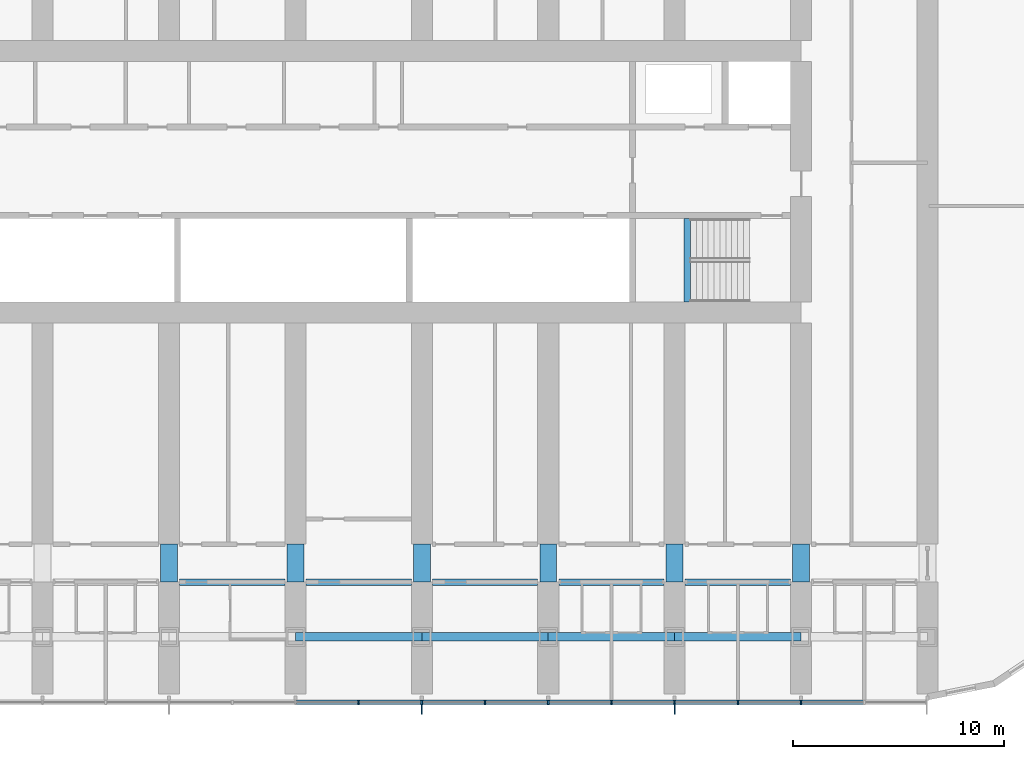
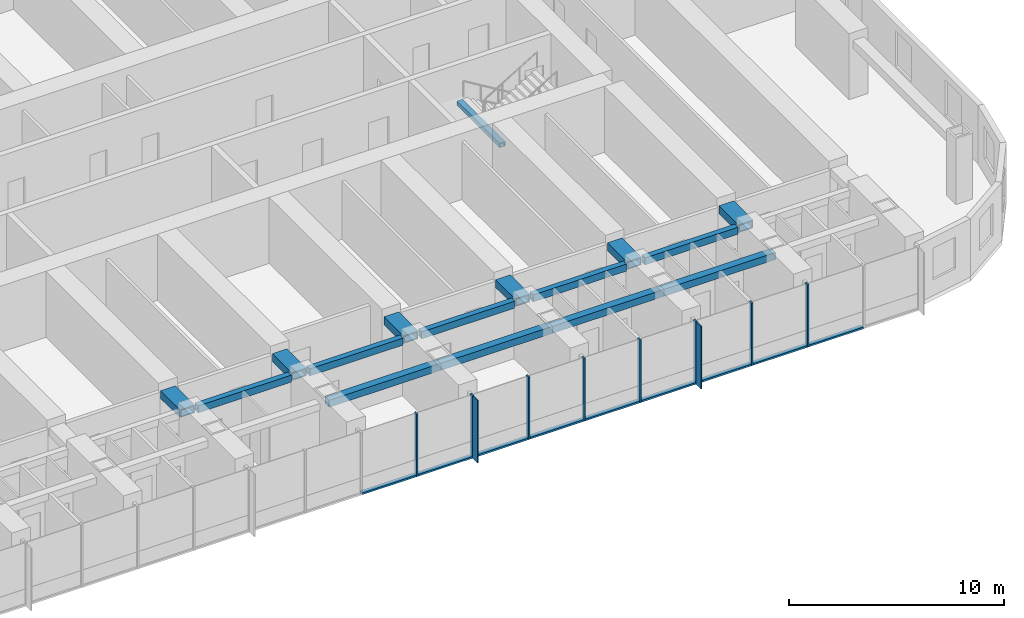
# One storey, part 3 of 24: 19 members, 16 beams, 1 element without a shape of its own.
"""IFC4 building model written with IfcOpenShell, lengths in metres."""

from ifc_helpers import new_model, si_unit, direction, frame, origin, origin_2d, place, context, subcontext, project, spatial, rectangle, hollow_rectangle, extrude, material, material_profile, profile_set, type_object, element, aggregate, save


model = new_model("IFC4")

# Units and contexts
model_context = context("Model", 3, precision=1e-05, world=origin(), true_north=direction((0.0, 1.0)))
body_context = subcontext(model_context, "Body", "Model", "MODEL_VIEW")
ifc_project = project(units=[si_unit("LENGTHUNIT", "METRE"), si_unit("AREAUNIT", "SQUARE_METRE"), si_unit("VOLUMEUNIT", "CUBIC_METRE"), si_unit("PLANEANGLEUNIT", "RADIAN"), si_unit("MASSUNIT", "GRAM", prefix="KILO")], contexts=[model_context])

# Site, building, storey
site_placement = place(None, origin())
site = spatial("IfcSite", under=ifc_project, at=site_placement, CompositionType="ELEMENT")
building_placement = place(site_placement, origin())
building = spatial("IfcBuilding", under=site, at=building_placement, Name="Orbita Commons", CompositionType="ELEMENT")
storey_placement = place(building_placement, frame((0.0, 0.0, 35.199951171875)))
storey = spatial("IfcBuildingStorey", under=building, at=storey_placement, Name="L08", CompositionType="ELEMENT", Elevation=35.199951171875)

# Curtain wall, members
ifc_material_1 = material(Name="Anodised aluminium frame, pale silver", Category="aluminium")
curtain_wall_type = type_object("IfcCurtainWallType", Name="Unitised curtain wall CW-T, vision and spandrel", PredefinedType="NOTDEFINED", material=ifc_material_1)
curtain_wall_placement = place(storey_placement, origin())
curtain_wall = element("IfcCurtainWall", 1, at=curtain_wall_placement, inside=storey, type_object=curtain_wall_type, Name="Curtain wall south L08", PredefinedType="NOTDEFINED")
ifc_material_2 = material(Name="Anodised aluminium, pale silver", Category="aluminium")
ifc_material_profile_1 = material_profile(ifc_material_2, rectangle(XDim=0.080078125, YDim=0.219970703125, at=origin_2d()), Name="AL 80x220")
ifc_profile_set_1 = profile_set([ifc_material_profile_1], Name="Anodised aluminium, pale silver")
member_type_1 = type_object("IfcMemberType", Name="Curtain wall mullion 80x220", PredefinedType="MULLION", material=ifc_profile_set_1)
member_1_placement = place(storey_placement, frame((45.0, 7.2900390625, -0.25), z_axis=(0.0, 0.0, 1.0), x_axis=(1.0, 0.0, 0.0)))
member_1 = element("IfcMember", 2, at=member_1_placement, type_object=member_type_1, Name="Mullion 12 CW-L08-S", PredefinedType="MULLION", context=body_context, shape_type="SweptSolid", body=[
    extrude(rectangle(XDim=0.080078125, YDim=0.219970703125, at=origin_2d()), origin(), (0.0, 0.0, 1.0), 3.550048828125),
])
member_2_placement = place(storey_placement, frame((48.0, 7.2900390625, -0.25), z_axis=(0.0, 0.0, 1.0), x_axis=(1.0, 0.0, 0.0)))
member_2 = element("IfcMember", 3, at=member_2_placement, type_object=member_type_1, Name="Mullion 13 CW-L08-S", PredefinedType="MULLION", context=body_context, shape_type="SweptSolid", body=[
    extrude(rectangle(XDim=0.080078125, YDim=0.219970703125, at=origin_2d()), origin(), (0.0, 0.0, 1.0), 3.550048828125),
])
member_3_placement = place(storey_placement, frame((51.0, 7.2900390625, -0.25), z_axis=(0.0, 0.0, 1.0), x_axis=(1.0, 0.0, 0.0)))
member_3 = element("IfcMember", 4, at=member_3_placement, type_object=member_type_1, Name="Mullion 14 CW-L08-S", PredefinedType="MULLION", context=body_context, shape_type="SweptSolid", body=[
    extrude(rectangle(XDim=0.080078125, YDim=0.219970703125, at=origin_2d()), origin(), (0.0, 0.0, 1.0), 3.550048828125),
])
member_4_placement = place(storey_placement, frame((54.0, 7.2900390625, -0.25), z_axis=(0.0, 0.0, 1.0), x_axis=(1.0, 0.0, 0.0)))
member_4 = element("IfcMember", 5, at=member_4_placement, type_object=member_type_1, Name="Mullion 15 CW-L08-S", PredefinedType="MULLION", context=body_context, shape_type="SweptSolid", body=[
    extrude(rectangle(XDim=0.080078125, YDim=0.219970703125, at=origin_2d()), origin(), (0.0, 0.0, 1.0), 3.550048828125),
])
member_5_placement = place(storey_placement, frame((57.0, 7.2900390625, -0.25), z_axis=(0.0, 0.0, 1.0), x_axis=(1.0, 0.0, 0.0)))
member_5 = element("IfcMember", 6, at=member_5_placement, type_object=member_type_1, Name="Mullion 16 CW-L08-S", PredefinedType="MULLION", context=body_context, shape_type="SweptSolid", body=[
    extrude(rectangle(XDim=0.080078125, YDim=0.219970703125, at=origin_2d()), origin(), (0.0, 0.0, 1.0), 3.550048828125),
])
member_6_placement = place(storey_placement, frame((60.0, 7.2900390625, -0.25), z_axis=(0.0, 0.0, 1.0), x_axis=(1.0, 0.0, 0.0)))
member_6 = element("IfcMember", 7, at=member_6_placement, type_object=member_type_1, Name="Mullion 17 CW-L08-S", PredefinedType="MULLION", context=body_context, shape_type="SweptSolid", body=[
    extrude(rectangle(XDim=0.080078125, YDim=0.219970703125, at=origin_2d()), origin(), (0.0, 0.0, 1.0), 3.550048828125),
])
member_7_placement = place(storey_placement, frame((63.0, 7.2900390625, -0.25), z_axis=(0.0, 0.0, 1.0), x_axis=(1.0, 0.0, 0.0)))
member_7 = element("IfcMember", 8, at=member_7_placement, type_object=member_type_1, Name="Mullion 18 CW-L08-S", PredefinedType="MULLION", context=body_context, shape_type="SweptSolid", body=[
    extrude(rectangle(XDim=0.080078125, YDim=0.219970703125, at=origin_2d()), origin(), (0.0, 0.0, 1.0), 3.550048828125),
])
member_8_placement = place(storey_placement, frame((66.0, 7.2900390625, -0.25), z_axis=(0.0, 0.0, 1.0), x_axis=(1.0, 0.0, 0.0)))
member_8 = element("IfcMember", 9, at=member_8_placement, type_object=member_type_1, Name="Mullion 19 CW-L08-S", PredefinedType="MULLION", context=body_context, shape_type="SweptSolid", body=[
    extrude(rectangle(XDim=0.080078125, YDim=0.219970703125, at=origin_2d()), origin(), (0.0, 0.0, 1.0), 3.550048828125),
])
ifc_material_3 = material(Name="Anodised aluminium, pale silver", Category="aluminium")
ifc_material_profile_2 = material_profile(ifc_material_3, rectangle(XDim=0.219970703125, YDim=0.10009765625, at=origin_2d()), Name="AL 220x100")
ifc_profile_set_2 = profile_set([ifc_material_profile_2], Name="Anodised aluminium, pale silver")
member_type_2 = type_object("IfcMemberType", Name="Curtain wall stack transom 220x100", PredefinedType="USERDEFINED", material=ifc_profile_set_2)
member_9_placement = place(storey_placement, frame((42.0400390625, 7.2900390625, -0.199951171875), z_axis=(1.0, 0.0, 0.0), x_axis=(0.0, 1.0, 0.0)))
member_9 = element("IfcMember", 10, at=member_9_placement, type_object=member_type_2, Name="Transom 11.1 CW-L08-S", ObjectType="TRANSOM", PredefinedType="USERDEFINED", context=body_context, shape_type="SweptSolid", body=[
    extrude(rectangle(XDim=0.219970703125, YDim=0.10009765625, at=origin_2d()), origin(), (0.0, 0.0, 1.0), 2.919921875),
])
member_10_placement = place(storey_placement, frame((45.0400390625, 7.2900390625, -0.199951171875), z_axis=(1.0, 0.0, 0.0), x_axis=(0.0, 1.0, 0.0)))
member_10 = element("IfcMember", 11, at=member_10_placement, type_object=member_type_2, Name="Transom 12.1 CW-L08-S", ObjectType="TRANSOM", PredefinedType="USERDEFINED", context=body_context, shape_type="SweptSolid", body=[
    extrude(rectangle(XDim=0.219970703125, YDim=0.10009765625, at=origin_2d()), origin(), (0.0, 0.0, 1.0), 2.919921875),
])
member_11_placement = place(storey_placement, frame((48.0400390625, 7.2900390625, -0.199951171875), z_axis=(1.0, 0.0, 0.0), x_axis=(0.0, 1.0, 0.0)))
member_11 = element("IfcMember", 12, at=member_11_placement, type_object=member_type_2, Name="Transom 13.1 CW-L08-S", ObjectType="TRANSOM", PredefinedType="USERDEFINED", context=body_context, shape_type="SweptSolid", body=[
    extrude(rectangle(XDim=0.219970703125, YDim=0.10009765625, at=origin_2d()), origin(), (0.0, 0.0, 1.0), 2.919921875),
])
member_12_placement = place(storey_placement, frame((51.0400390625, 7.2900390625, -0.199951171875), z_axis=(1.0, 0.0, 0.0), x_axis=(0.0, 1.0, 0.0)))
member_12 = element("IfcMember", 13, at=member_12_placement, type_object=member_type_2, Name="Transom 14.1 CW-L08-S", ObjectType="TRANSOM", PredefinedType="USERDEFINED", context=body_context, shape_type="SweptSolid", body=[
    extrude(rectangle(XDim=0.219970703125, YDim=0.10009765625, at=origin_2d()), origin(), (0.0, 0.0, 1.0), 2.919921875),
])
member_13_placement = place(storey_placement, frame((54.0400390625, 7.2900390625, -0.199951171875), z_axis=(1.0, 0.0, 0.0), x_axis=(0.0, 1.0, 0.0)))
member_13 = element("IfcMember", 14, at=member_13_placement, type_object=member_type_2, Name="Transom 15.1 CW-L08-S", ObjectType="TRANSOM", PredefinedType="USERDEFINED", context=body_context, shape_type="SweptSolid", body=[
    extrude(rectangle(XDim=0.219970703125, YDim=0.10009765625, at=origin_2d()), origin(), (0.0, 0.0, 1.0), 2.919921875),
])
member_14_placement = place(storey_placement, frame((57.0400390625, 7.2900390625, -0.199951171875), z_axis=(1.0, 0.0, 0.0), x_axis=(0.0, 1.0, 0.0)))
member_14 = element("IfcMember", 15, at=member_14_placement, type_object=member_type_2, Name="Transom 16.1 CW-L08-S", ObjectType="TRANSOM", PredefinedType="USERDEFINED", context=body_context, shape_type="SweptSolid", body=[
    extrude(rectangle(XDim=0.219970703125, YDim=0.10009765625, at=origin_2d()), origin(), (0.0, 0.0, 1.0), 2.919921875),
])
member_15_placement = place(storey_placement, frame((60.0400390625, 7.2900390625, -0.199951171875), z_axis=(1.0, 0.0, 0.0), x_axis=(0.0, 1.0, 0.0)))
member_15 = element("IfcMember", 16, at=member_15_placement, type_object=member_type_2, Name="Transom 17.1 CW-L08-S", ObjectType="TRANSOM", PredefinedType="USERDEFINED", context=body_context, shape_type="SweptSolid", body=[
    extrude(rectangle(XDim=0.219970703125, YDim=0.10009765625, at=origin_2d()), origin(), (0.0, 0.0, 1.0), 2.919921875),
])
member_16_placement = place(storey_placement, frame((63.0400390625, 7.2900390625, -0.199951171875), z_axis=(1.0, 0.0, 0.0), x_axis=(0.0, 1.0, 0.0)))
member_16 = element("IfcMember", 17, at=member_16_placement, type_object=member_type_2, Name="Transom 18.1 CW-L08-S", ObjectType="TRANSOM", PredefinedType="USERDEFINED", context=body_context, shape_type="SweptSolid", body=[
    extrude(rectangle(XDim=0.219970703125, YDim=0.10009765625, at=origin_2d()), origin(), (0.0, 0.0, 1.0), 2.919921875),
])
member_17_placement = place(storey_placement, frame((66.0400390625, 7.2900390625, -0.199951171875), z_axis=(1.0, 0.0, 0.0), x_axis=(0.0, 1.0, 0.0)))
member_17 = element("IfcMember", 18, at=member_17_placement, type_object=member_type_2, Name="Transom 19.1 CW-L08-S", ObjectType="TRANSOM", PredefinedType="USERDEFINED", context=body_context, shape_type="SweptSolid", body=[
    extrude(rectangle(XDim=0.219970703125, YDim=0.10009765625, at=origin_2d()), origin(), (0.0, 0.0, 1.0), 2.919921875),
])

# Beams
ifc_material_4 = material(Name="Steel ASTM A572 Gr 50 welded plate", Category="steel")
ifc_material_profile_3 = material_profile(ifc_material_4, hollow_rectangle(XDim=0.300048828125, YDim=0.25, WallThickness=0.02490234375, at=origin_2d()), Name="BOX 250x300x25")
ifc_profile_set_3 = profile_set([ifc_material_profile_3], Name="Steel ASTM A572 Gr 50 welded plate")
beam_type_1 = type_object("IfcBeamType", Name="Stair landing beam steel BOX 250x300x25", PredefinedType="BEAM", material=ifc_profile_set_3)
beam_placement = place(storey_placement, frame((60.60009765625, 26.284912109375, 1.550048828125), z_axis=(0.0, 1.0, 0.0), x_axis=(-1.0, 0.0, 0.0)))
element("IfcBeam", 19, at=beam_placement, inside=storey, type_object=beam_type_1, Name="Stair S2 landing beam L08 1", PredefinedType="BEAM", context=body_context, shape_type="SweptSolid", body=[
    extrude(hollow_rectangle(XDim=0.300048828125, YDim=0.25, WallThickness=0.02490234375, at=origin_2d()), origin(), (0.0, 0.0, 1.0), 3.97998046875),
])
ifc_material_5 = material(Name="Steel ASTM A572 Gr 50 welded plate", Category="steel")
ifc_material_profile_4 = material_profile(ifc_material_5, hollow_rectangle(XDim=0.300048828125, YDim=0.39990234375, WallThickness=0.0400390625, at=origin_2d()), Name="BOX 400x300x40")
ifc_profile_set_4 = profile_set([ifc_material_profile_4], Name="Steel ASTM A572 Gr 50 welded plate")
beam_type_2 = type_object("IfcBeamType", Name="Steel corridor link BOX 400x300x40", PredefinedType="BEAM", material=ifc_profile_set_4)
for number, where, z_axis, x_axis, name in (
    (20, (36.5, 13.0, 3.10009765625), (1.0, 0.0, 0.0), (0.0, 1.0, 0.0), "Corridor beam SA 7-8 L08"),
    (21, (42.5, 13.0, 3.10009765625), (1.0, 0.0, 0.0), (0.0, 1.0, 0.0), "Corridor beam SA 8-9 L08"),
    (22, (48.5, 13.0, 3.10009765625), (1.0, 0.0, 0.0), (0.0, 1.0, 0.0), "Corridor beam SA 9-10 L08"),
    (23, (54.5, 13.0, 3.10009765625), (1.0, 0.0, 0.0), (0.0, 1.0, 0.0), "Corridor beam SA 10-11 L08"),
    (24, (60.5, 13.0, 3.10009765625), (1.0, 0.0, 0.0), (0.0, 1.0, 0.0), "Corridor beam SA 11-12 L08"),
):
    element("IfcBeam", number, at=place(storey_placement, frame(where, z_axis=z_axis, x_axis=x_axis)), inside=storey, type_object=beam_type_2, Name=name, PredefinedType="BEAM", context=body_context, shape_type="SweptSolid", body=[
        extrude(hollow_rectangle(XDim=0.300048828125, YDim=0.39990234375, WallThickness=0.0400390625, at=origin_2d()), origin(), (0.0, 0.0, 1.0), 5.0),
    ])
ifc_material_6 = material(Name="Steel ASTM A572 Gr 50 welded plate", Category="steel")
ifc_material_profile_5 = material_profile(ifc_material_6, hollow_rectangle(XDim=0.800048828125, YDim=0.449951171875, WallThickness=0.06005859375, at=origin_2d()), Name="BOX 450x800x60")
ifc_profile_set_5 = profile_set([ifc_material_profile_5], Name="Steel ASTM A572 Gr 50 welded plate")
beam_type_3 = type_object("IfcBeamType", Name="Steel coupling link BOX 450x800x60", PredefinedType="LINTEL", material=ifc_profile_set_5)
for number, where, z_axis, x_axis, name in (
    (25, (36.0, 13.0, 3.074951171875), (0.0, 1.0, 0.0), (-1.0, 0.0, 0.0), "Coupling beam 7 south L08"),
    (26, (42.0, 13.0, 3.074951171875), (0.0, 1.0, 0.0), (-1.0, 0.0, 0.0), "Coupling beam 8 south L08"),
    (27, (48.0, 13.0, 3.074951171875), (0.0, 1.0, 0.0), (-1.0, 0.0, 0.0), "Coupling beam 9 south L08"),
    (28, (54.0, 13.0, 3.074951171875), (0.0, 1.0, 0.0), (-1.0, 0.0, 0.0), "Coupling beam 10 south L08"),
    (29, (60.0, 13.0, 3.074951171875), (0.0, 1.0, 0.0), (-1.0, 0.0, 0.0), "Coupling beam 11 south L08"),
    (30, (66.0, 13.0, 3.074951171875), (0.0, 1.0, 0.0), (-1.0, 0.0, 0.0), "Coupling beam 12 south L08"),
):
    element("IfcBeam", number, at=place(storey_placement, frame(where, z_axis=z_axis, x_axis=x_axis)), inside=storey, type_object=beam_type_3, Name=name, PredefinedType="LINTEL", context=body_context, shape_type="SweptSolid", body=[
        extrude(hollow_rectangle(XDim=0.800048828125, YDim=0.449951171875, WallThickness=0.06005859375, at=origin_2d()), origin(), (0.0, 0.0, 1.0), 1.800048828125),
    ])
ifc_material_7 = material(Name="Steel ASTM A572 Gr 50 welded plate", Category="steel")
ifc_material_profile_6 = material_profile(ifc_material_7, hollow_rectangle(XDim=0.39990234375, YDim=0.39990234375, WallThickness=0.0400390625, at=origin_2d()), Name="BOX 400x400x40")
ifc_profile_set_6 = profile_set([ifc_material_profile_6], Name="Steel ASTM A572 Gr 50 welded plate")
beam_type_4 = type_object("IfcBeamType", Name="Steel spandrel BOX 400x400x40", PredefinedType="SPANDREL", material=ifc_profile_set_6)
for number, where, z_axis, x_axis, name in (
    (31, (42.0, 10.39990234375, 3.10009765625), (1.0, 0.0, 0.0), (0.0, 1.0, 0.0), "Spandrel beam B 8-9 L08"),
    (32, (48.0, 10.39990234375, 3.10009765625), (1.0, 0.0, 0.0), (0.0, 1.0, 0.0), "Spandrel beam B 9-10 L08"),
    (33, (54.0, 10.39990234375, 3.10009765625), (1.0, 0.0, 0.0), (0.0, 1.0, 0.0), "Spandrel beam B 10-11 L08"),
    (34, (60.0, 10.39990234375, 3.10009765625), (1.0, 0.0, 0.0), (0.0, 1.0, 0.0), "Spandrel beam B 11-12 L08"),
):
    element("IfcBeam", number, at=place(storey_placement, frame(where, z_axis=z_axis, x_axis=x_axis)), inside=storey, type_object=beam_type_4, Name=name, PredefinedType="SPANDREL", context=body_context, shape_type="SweptSolid", body=[
        extrude(hollow_rectangle(XDim=0.39990234375, YDim=0.39990234375, WallThickness=0.0400390625, at=origin_2d()), origin(), (0.0, 0.0, 1.0), 6.0),
    ])

# Member
ifc_material_8 = material(Name="Anodised aluminium, pale silver", Category="aluminium")
ifc_material_profile_7 = material_profile(ifc_material_8, rectangle(XDim=0.06005859375, YDim=0.449951171875, at=origin_2d()), Name="FIN 60x450")
ifc_profile_set_7 = profile_set([ifc_material_profile_7], Name="Anodised aluminium, pale silver")
member_type_3 = type_object("IfcMemberType", Name="Vertical fin 60x450 pale aluminium", PredefinedType="USERDEFINED", material=ifc_profile_set_7)
member_18_placement = place(storey_placement, frame((48.0, 6.955078125, -0.25), z_axis=(0.0, 0.0, 1.0), x_axis=(1.0, 0.0, 0.0)))
member_18 = element("IfcMember", 35, at=member_18_placement, type_object=member_type_3, Name="Fin 13 CW-L08-S", ObjectType="FIN", PredefinedType="USERDEFINED", context=body_context, shape_type="SweptSolid", body=[
    extrude(rectangle(XDim=0.06005859375, YDim=0.449951171875, at=origin_2d()), origin(), (0.0, 0.0, 1.0), 3.550048828125),
])

member_19_placement = place(storey_placement, frame((60.0, 6.955078125, -0.25), z_axis=(0.0, 0.0, 1.0), x_axis=(1.0, 0.0, 0.0)))
member_19 = element("IfcMember", 36, at=member_19_placement, type_object=member_type_3, Name="Fin 17 CW-L08-S", ObjectType="FIN", PredefinedType="USERDEFINED", context=body_context, shape_type="SweptSolid", body=[
    extrude(rectangle(XDim=0.06005859375, YDim=0.449951171875, at=origin_2d()), origin(), (0.0, 0.0, 1.0), 3.550048828125),
])

aggregate(curtain_wall, [member_1, member_2, member_18, member_3, member_4, member_5, member_6, member_19, member_7, member_8, member_9, member_10, member_11, member_12, member_13, member_14, member_15, member_16, member_17])

save(model, "model.ifc")
